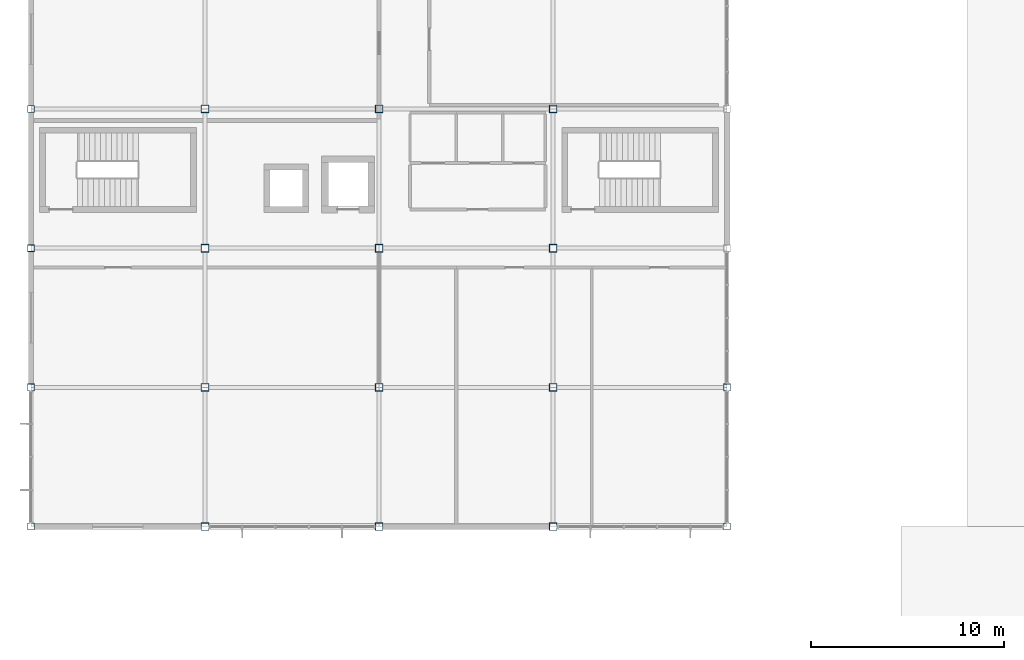
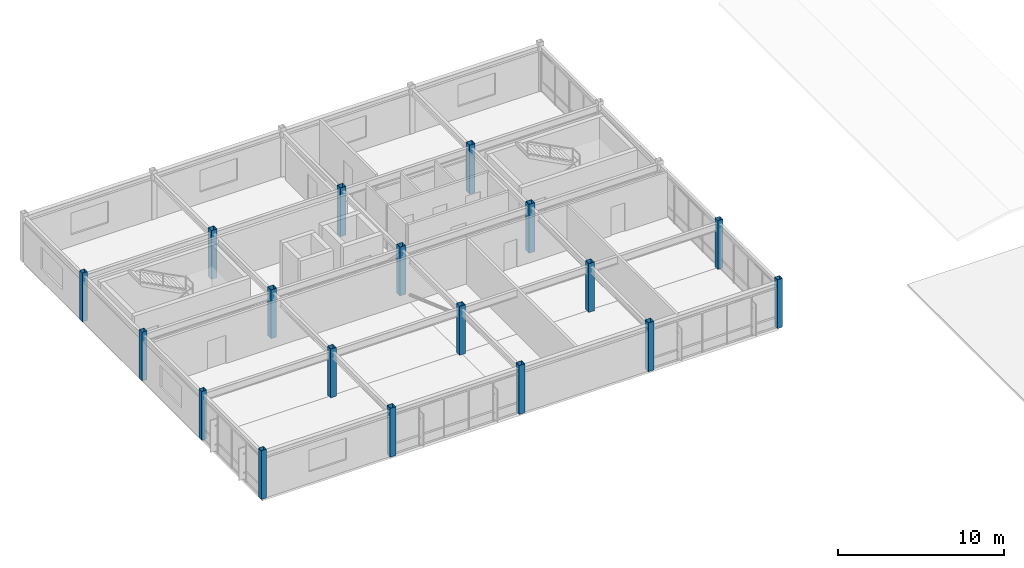
# One storey, part 1 of 34: 18 columns.
"""IFC4 building model written with IfcOpenShell, lengths in metres."""

from ifc_helpers import new_model, si_unit, direction, frame, origin, origin_2d, place, context, subcontext, project, spatial, hollow_rectangle, extrude, material, material_profile, profile_set, type_object, element, save


model = new_model("IFC4")

# Units and contexts
model_context = context("Model", 3, precision=1e-05, world=origin(), true_north=direction((0.0, 1.0)))
body_context = subcontext(model_context, "Body", "Model", "MODEL_VIEW")
ifc_project = project(units=[si_unit("LENGTHUNIT", "METRE"), si_unit("AREAUNIT", "SQUARE_METRE"), si_unit("VOLUMEUNIT", "CUBIC_METRE"), si_unit("PLANEANGLEUNIT", "RADIAN"), si_unit("MASSUNIT", "GRAM", prefix="KILO")], contexts=[model_context])

# Site, building, storey
site_placement = place(None, origin())
site = spatial("IfcSite", under=ifc_project, at=site_placement, CompositionType="ELEMENT")
building_placement = place(site_placement, origin())
building = spatial("IfcBuilding", under=site, at=building_placement, Name="Kazanami Central Library", CompositionType="ELEMENT")
storey_placement = place(building_placement, frame((0.0, 0.0, 17.0)))
storey = spatial("IfcBuildingStorey", under=building, at=storey_placement, Name="L05", CompositionType="ELEMENT", Elevation=17.0)

# Columns
ifc_material = material(Name="Steel BCP325 (325 MPa)", Category="steel")
ifc_material_profile_1 = material_profile(ifc_material, hollow_rectangle(XDim=0.35009765625, YDim=0.35009765625, WallThickness=0.011962890625, at=origin_2d()), Name="STKR-350x350x12")
ifc_profile_set_1 = profile_set([ifc_material_profile_1], Name="Steel BCP325 (325 MPa)")
column_type_1 = type_object("IfcColumnType", Name="COL-C-P4E", PredefinedType="COLUMN", material=ifc_profile_set_1)
for number, where, z_axis, x_axis, name in (
    (1, (0.0, 64.800048828125, 0.0), (0.0, 0.0, 1.0), (1.0, 0.0, 0.0), "Column C-P4E L05 1/K"),
    (2, (0.0, 72.0, 0.0), (0.0, 0.0, 1.0), (1.0, 0.0, 0.0), "Column C-P4E L05 1/L"),
    (3, (0.0, 79.199951171875, 0.0), (0.0, 0.0, 1.0), (1.0, 0.0, 0.0), "Column C-P4E L05 1/M"),
    (4, (0.0, 86.39990234375, 0.0), (0.0, 0.0, 1.0), (1.0, 0.0, 0.0), "Column C-P4E L05 1/N"),
    (5, (36.0, 64.800048828125, 0.0), (0.0, 0.0, 1.0), (1.0, 0.0, 0.0), "Column C-P4E L05 5/K"),
    (6, (36.0, 72.0, 0.0), (0.0, 0.0, 1.0), (1.0, 0.0, 0.0), "Column C-P4E L05 5/L"),
):
    element("IfcColumn", number, at=place(storey_placement, frame(where, z_axis=z_axis, x_axis=x_axis)), inside=storey, type_object=column_type_1, Name=name, PredefinedType="COLUMN", context=body_context, shape_type="SweptSolid", body=[
        extrude(hollow_rectangle(XDim=0.35009765625, YDim=0.35009765625, WallThickness=0.011962890625, at=origin_2d()), origin(), (0.0, 0.0, 1.0), 3.60009765625),
    ])
ifc_material_profile_2 = material_profile(ifc_material, hollow_rectangle(XDim=0.39990234375, YDim=0.39990234375, WallThickness=0.01611328125, at=origin_2d()), Name="BCP-400x400x16")
ifc_profile_set_2 = profile_set([ifc_material_profile_2], Name="Steel BCP325 (325 MPa)")
column_type_2 = type_object("IfcColumnType", Name="COL-C-P4I", PredefinedType="COLUMN", material=ifc_profile_set_2)
for number, where, z_axis, x_axis, name in (
    (7, (9.0, 64.800048828125, 0.0), (0.0, 0.0, 1.0), (1.0, 0.0, 0.0), "Column C-P4I L05 2/K"),
    (8, (9.0, 72.0, 0.0), (0.0, 0.0, 1.0), (1.0, 0.0, 0.0), "Column C-P4I L05 2/L"),
    (9, (9.0, 79.199951171875, 0.0), (0.0, 0.0, 1.0), (1.0, 0.0, 0.0), "Column C-P4I L05 2/M"),
    (10, (9.0, 86.39990234375, 0.0), (0.0, 0.0, 1.0), (1.0, 0.0, 0.0), "Column C-P4I L05 2/N"),
    (11, (18.0, 64.800048828125, 0.0), (0.0, 0.0, 1.0), (1.0, 0.0, 0.0), "Column C-P4I L05 3/K"),
    (12, (18.0, 72.0, 0.0), (0.0, 0.0, 1.0), (1.0, 0.0, 0.0), "Column C-P4I L05 3/L"),
    (13, (18.0, 79.199951171875, 0.0), (0.0, 0.0, 1.0), (1.0, 0.0, 0.0), "Column C-P4I L05 3/M"),
    (14, (18.0, 86.39990234375, 0.0), (0.0, 0.0, 1.0), (1.0, 0.0, 0.0), "Column C-P4I L05 3/N"),
    (15, (27.0, 64.800048828125, 0.0), (0.0, 0.0, 1.0), (1.0, 0.0, 0.0), "Column C-P4I L05 4/K"),
    (16, (27.0, 72.0, 0.0), (0.0, 0.0, 1.0), (1.0, 0.0, 0.0), "Column C-P4I L05 4/L"),
    (17, (27.0, 79.199951171875, 0.0), (0.0, 0.0, 1.0), (1.0, 0.0, 0.0), "Column C-P4I L05 4/M"),
    (18, (27.0, 86.39990234375, 0.0), (0.0, 0.0, 1.0), (1.0, 0.0, 0.0), "Column C-P4I L05 4/N"),
):
    element("IfcColumn", number, at=place(storey_placement, frame(where, z_axis=z_axis, x_axis=x_axis)), inside=storey, type_object=column_type_2, Name=name, PredefinedType="COLUMN", context=body_context, shape_type="SweptSolid", body=[
        extrude(hollow_rectangle(XDim=0.39990234375, YDim=0.39990234375, WallThickness=0.01611328125, at=origin_2d()), origin(), (0.0, 0.0, 1.0), 3.60009765625),
    ])

save(model, "model.ifc")
